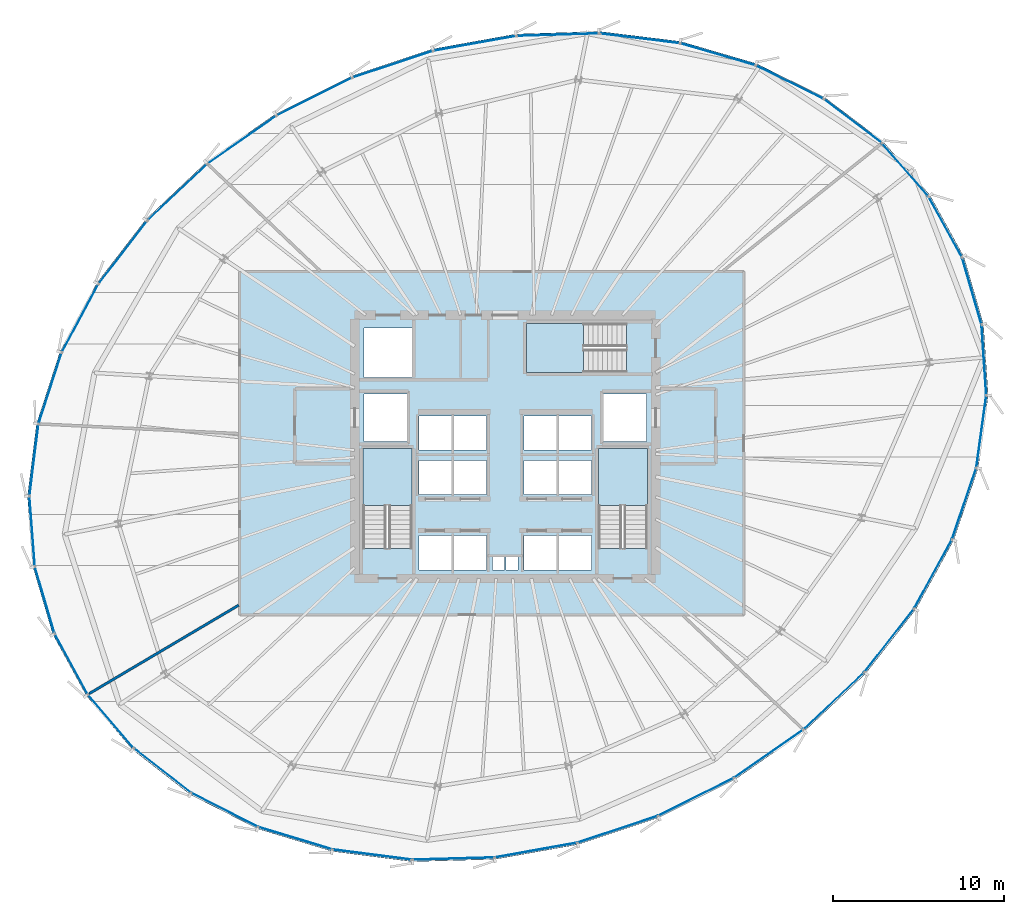
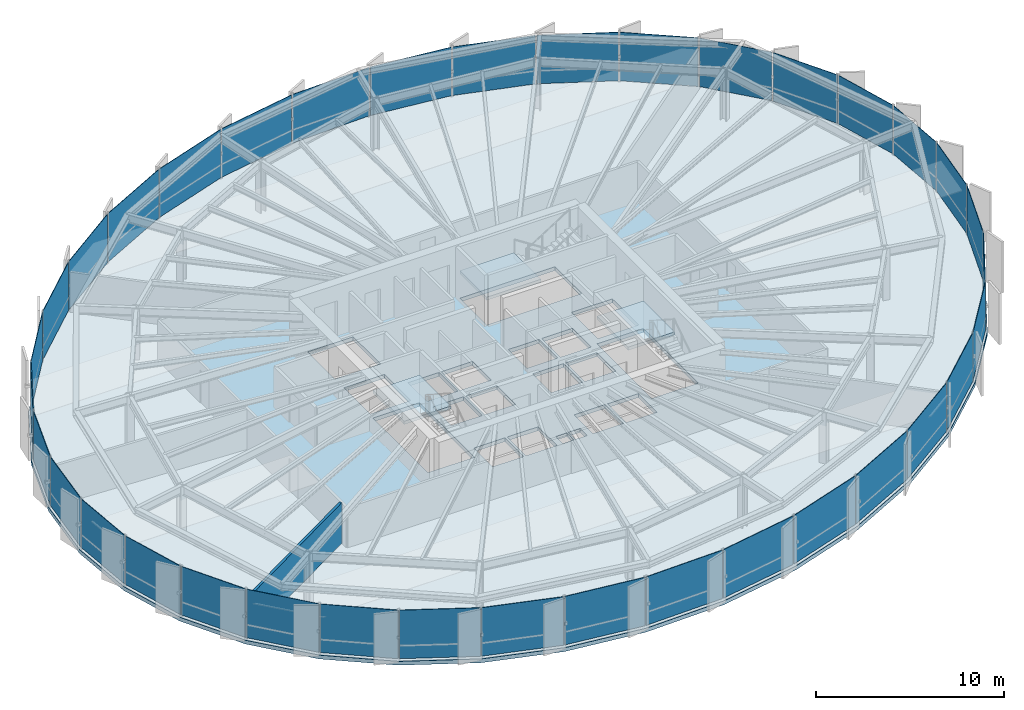
# One storey, part 27 of 34: 36 plates, 4 slabs, 1 wall, 9 elements without a shape of their own.
"""IFC4 building model written with IfcOpenShell, lengths in metres."""

from ifc_helpers import new_model, si_unit, direction, frame, frame_2d, origin, origin_2d, place, context, subcontext, project, spatial, polyline, rectangle, outline, extrude, source, transform, mapped, material, layer, layer_set, type_object, element, aggregate, save


model = new_model("IFC4")

# Units and contexts
model_context = context("Model", 3, precision=1e-05, world=origin(), true_north=direction((0.0, 1.0)))
body_context = subcontext(model_context, "Body", "Model", "MODEL_VIEW")
ifc_project = project(units=[si_unit("LENGTHUNIT", "METRE"), si_unit("AREAUNIT", "SQUARE_METRE"), si_unit("VOLUMEUNIT", "CUBIC_METRE"), si_unit("PLANEANGLEUNIT", "RADIAN"), si_unit("MASSUNIT", "GRAM", prefix="KILO"), si_unit("THERMODYNAMICTEMPERATUREUNIT", "KELVIN")], contexts=[model_context])

# Site, building, storey
site_placement = place(None, origin())
site = spatial("IfcSite", under=ifc_project, at=site_placement, CompositionType="ELEMENT")
building_placement = place(site_placement, origin())
building = spatial("IfcBuilding", under=site, at=building_placement, Name="Kethvar Cultural Tower", CompositionType="ELEMENT")
storey_placement = place(building_placement, frame((0.0, 0.0, 125.199951171875)))
storey = spatial("IfcBuildingStorey", under=building, at=storey_placement, Name="L31", CompositionType="ELEMENT", Elevation=125.199951171875)

# Stair, slab
ifc_material_1 = material(Name="Concrete C40/50", Category="concrete")
stair_type = type_object("IfcStairType", Name="ST-DOGLEG-135", PredefinedType="HALF_TURN_STAIR", material=ifc_material_1)
stair_1_placement = place(storey_placement, origin())
stair_1 = element("IfcStair", 1, at=stair_1_placement, inside=storey, type_object=stair_type, Name="L31 Core Exit Stair 1", PredefinedType="HALF_TURN_STAIR")
ifc_layer_1 = layer(ifc_material_1, 0.199951171875, Name="Concrete C40/50", Category="concrete")
ifc_layer_set_1 = layer_set([ifc_layer_1], Name="Concrete C40/50 (200 mm)")
slab_type_1 = type_object("IfcSlabType", Name="SL-STAIR-LANDING-200", PredefinedType="LANDING", material=ifc_layer_set_1)
slab_1_placement = place(storey_placement, frame((0.0, 0.0, 1.60009765625)))
slab_1 = element("IfcSlab", 2, at=slab_1_placement, type_object=slab_type_1, Name="ST-01 landing 1", PredefinedType="LANDING", context=body_context, shape_type="SweptSolid", body=[
    extrude(outline(polyline([(41.35009765625, 24.3701171875), (41.35009765625, 27.699951171875), (38.489990234375, 27.699951171875), (38.489990234375, 24.3701171875), (41.35009765625, 24.3701171875)])), origin(), (0.0, 0.0, 1.0), 0.199951171875),
])
aggregate(stair_1, [slab_1])

stair_2_placement = place(storey_placement, origin())
stair_2 = element("IfcStair", 3, at=stair_2_placement, inside=storey, type_object=stair_type, Name="L31 Core Exit Stair 2", PredefinedType="HALF_TURN_STAIR")
slab_2_placement = place(storey_placement, frame((0.0, 0.0, 1.60009765625)))
slab_2 = element("IfcSlab", 4, at=slab_2_placement, type_object=slab_type_1, Name="ST-02 landing 1", PredefinedType="LANDING", context=body_context, shape_type="SweptSolid", body=[
    extrude(outline(polyline([(55.110107421875, 24.3701171875), (55.110107421875, 27.699951171875), (52.25, 27.699951171875), (52.25, 24.3701171875), (55.110107421875, 24.3701171875)])), origin(), (0.0, 0.0, 1.0), 0.199951171875),
])
aggregate(stair_2, [slab_2])

stair_3_placement = place(storey_placement, origin())
stair_3 = element("IfcStair", 5, at=stair_3_placement, inside=storey, type_object=stair_type, Name="L31 Core Exit Stair 3", PredefinedType="HALF_TURN_STAIR")
slab_3_placement = place(storey_placement, frame((0.0, 0.0, 1.60009765625)))
slab_3 = element("IfcSlab", 6, at=slab_3_placement, type_object=slab_type_1, Name="ST-03 landing 1", PredefinedType="LANDING", context=body_context, shape_type="SweptSolid", body=[
    extrude(outline(polyline([(51.3798828125, 35.010009765625), (48.050048828125, 35.010009765625), (48.050048828125, 32.14990234375), (51.3798828125, 32.14990234375), (51.3798828125, 35.010009765625)])), origin(), (0.0, 0.0, 1.0), 0.199951171875),
])
aggregate(stair_3, [slab_3])

# Slab
ifc_layer_2 = layer(ifc_material_1, 0.25, Name="Concrete C40/50", Category="concrete")
ifc_layer_set_2 = layer_set([ifc_layer_2], Name="Concrete C40/50 (250 mm)")
slab_type_2 = type_object("IfcSlabType", Name="SL-TOW-250", PredefinedType="FLOOR", material=ifc_layer_set_2)
slab_4_placement = place(storey_placement, frame((0.0, 0.0, -0.25)))
element("IfcSlab", 7, at=slab_4_placement, inside=storey, type_object=slab_type_2, Name="L31 Structural Floor Slab", PredefinedType="FLOOR", context=body_context, shape_type="SweptSolid", body=[
    extrude(outline(polyline([(73.62353515625, 38.91064453125), (71.64794921875, 42.504150390625), (68.902587890625, 45.64501953125), (65.476318359375, 48.239501953125), (61.480712890625, 50.21240234375), (57.04541015625, 51.5068359375), (52.31298828125, 52.086669921875), (47.431884765625, 51.9365234375), (42.552001953125, 51.0615234375), (37.817138671875, 49.486328125), (33.360107421875, 47.254150390625), (29.311279296875, 44.4306640625), (25.793701171875, 41.10205078125), (22.91455078125, 37.369384765625), (20.760986328125, 33.345703125), (19.398681640625, 29.153564453125), (18.869140625, 24.92041015625), (19.18798828125, 20.774658203125), (20.345947265625, 16.84228515625), (22.307861328125, 13.2431640625), (25.013671875, 10.086181640625), (28.381591796875, 7.46728515625), (32.30908203125, 5.46630859375), (36.677001953125, 4.143798828125), (41.352294921875, 3.540283203125), (46.193115234375, 3.673828125), (51.052490234375, 4.540283203125), (55.78271484375, 6.11376953125), (60.24462890625, 8.347900390625), (64.314208984375, 11.1796875), (67.87158203125, 14.52490234375), (70.807861328125, 18.281494140625), (73.02880859375, 22.3330078125), (74.458984375, 26.55322265625), (75.047119140625, 30.810546875), (74.767578125, 34.97265625), (73.62353515625, 38.91064453125)]), holes=[polyline([(38.489990234375, 21.85009765625), (38.489990234375, 27.699951171875), (41.35009765625, 27.699951171875), (41.35009765625, 21.85009765625), (38.489990234375, 21.85009765625)]), polyline([(52.25, 21.85009765625), (52.25, 27.699951171875), (55.110107421875, 27.699951171875), (55.110107421875, 21.85009765625), (52.25, 21.85009765625)]), polyline([(53.89990234375, 32.14990234375), (48.050048828125, 32.14990234375), (48.050048828125, 35.010009765625), (53.89990234375, 35.010009765625), (53.89990234375, 32.14990234375)]), polyline([(41.75, 22.60009765625), (43.64990234375, 22.60009765625), (43.64990234375, 20.60009765625), (41.75, 20.60009765625), (41.75, 22.60009765625)]), polyline([(43.800048828125, 22.60009765625), (45.699951171875, 22.60009765625), (45.699951171875, 20.60009765625), (43.800048828125, 20.60009765625), (43.800048828125, 22.60009765625)]), polyline([(47.89990234375, 22.60009765625), (49.800048828125, 22.60009765625), (49.800048828125, 20.60009765625), (47.89990234375, 20.60009765625), (47.89990234375, 22.60009765625)]), polyline([(49.949951171875, 22.60009765625), (51.85009765625, 22.60009765625), (51.85009765625, 20.60009765625), (49.949951171875, 20.60009765625), (49.949951171875, 22.60009765625)]), polyline([(41.75, 27.0), (43.64990234375, 27.0), (43.64990234375, 25.0), (41.75, 25.0), (41.75, 27.0)]), polyline([(43.800048828125, 27.0), (45.699951171875, 27.0), (45.699951171875, 25.0), (43.800048828125, 25.0), (43.800048828125, 27.0)]), polyline([(47.89990234375, 27.0), (49.800048828125, 27.0), (49.800048828125, 25.0), (47.89990234375, 25.0), (47.89990234375, 27.0)]), polyline([(49.949951171875, 27.0), (51.85009765625, 27.0), (51.85009765625, 25.0), (49.949951171875, 25.0), (49.949951171875, 27.0)]), polyline([(41.75, 29.60009765625), (43.64990234375, 29.60009765625), (43.64990234375, 27.60009765625), (41.75, 27.60009765625), (41.75, 29.60009765625)]), polyline([(43.800048828125, 29.60009765625), (45.699951171875, 29.60009765625), (45.699951171875, 27.60009765625), (43.800048828125, 27.60009765625), (43.800048828125, 29.60009765625)]), polyline([(47.89990234375, 29.60009765625), (49.800048828125, 29.60009765625), (49.800048828125, 27.60009765625), (47.89990234375, 27.60009765625), (47.89990234375, 29.60009765625)]), polyline([(49.949951171875, 29.60009765625), (51.85009765625, 29.60009765625), (51.85009765625, 27.60009765625), (49.949951171875, 27.60009765625), (49.949951171875, 29.60009765625)]), polyline([(38.550048828125, 30.89990234375), (41.050048828125, 30.89990234375), (41.050048828125, 28.10009765625), (38.550048828125, 28.10009765625), (38.550048828125, 30.89990234375)]), polyline([(52.550048828125, 30.89990234375), (55.050048828125, 30.89990234375), (55.050048828125, 28.10009765625), (52.550048828125, 28.10009765625), (52.550048828125, 30.89990234375)]), polyline([(38.550048828125, 34.75), (41.35009765625, 34.75), (41.35009765625, 31.85009765625), (38.550048828125, 31.85009765625), (38.550048828125, 34.75)]), polyline([(46.050048828125, 21.35009765625), (46.75, 21.35009765625), (46.75, 20.60009765625), (46.050048828125, 20.60009765625), (46.050048828125, 21.35009765625)]), polyline([(46.85009765625, 21.35009765625), (47.550048828125, 21.35009765625), (47.550048828125, 20.60009765625), (46.85009765625, 20.60009765625), (46.85009765625, 21.35009765625)])]), origin(), (0.0, 0.0, 1.0), 0.25),
])

# Curtain wall, plate
ifc_material_2 = material(Name="Aluminium 6063-T6", Category="aluminium")
ifc_layer_3 = layer(ifc_material_2, 0.179931640625, Name="Aluminium 6063-T6", Category="aluminium")
ifc_layer_set_3 = layer_set([ifc_layer_3], Name="Aluminium 6063-T6 (180 mm)")
curtain_wall_type = type_object("IfcCurtainWallType", Name="CW-SYS-03-Z2", PredefinedType="NOTDEFINED", material=ifc_layer_set_3)
curtain_wall_1_placement = place(storey_placement, origin())
curtain_wall_1 = element("IfcCurtainWall", 8, at=curtain_wall_1_placement, inside=storey, type_object=curtain_wall_type, Name="L31 Curtain Wall Run 02", PredefinedType="NOTDEFINED")
ifc_material_3 = material(Name="Insulated Low-E Solar Glass", Category="glass")
ifc_layer_4 = layer(ifc_material_3, 0.031982421875, Name="Insulated Low-E Solar Glass", Category="glass")
ifc_layer_set_4 = layer_set([ifc_layer_4], Name="Insulated Low-E Solar Glass (32 mm)")
plate_type = type_object("IfcPlateType", Name="CW-SYS-03-Z2-PNL", PredefinedType="CURTAIN_PANEL", material=ifc_layer_set_4)
shared_shape_1 = source(origin(), body_context, "Body", "SweptSolid", [
    extrude(rectangle(XDim=4.903564453125, YDim=0.031982421875, at=origin_2d()), origin(), (0.0, 0.0, 1.0), 3.14990234375),
])
plate_1_placement = place(storey_placement, frame((40.220947265625, 50.164794921875, 0.10009765625), z_axis=(0.0, 0.0, 1.0), x_axis=(-0.948864992836, -0.315682158776, 0.0)))
plate_1 = element("IfcPlate", 9, at=plate_1_placement, type_object=plate_type, Name="CW-L31-R02 Vision Glazing Panel 3", PredefinedType="CURTAIN_PANEL", context=body_context, shape_type="MappedRepresentation", body=[
    mapped(shared_shape_1, transform((0.0, 0.0, 0.0), scale=1.0)),
])

curtain_wall_2_placement = place(storey_placement, origin())
curtain_wall_2 = element("IfcCurtainWall", 10, at=curtain_wall_2_placement, inside=storey, type_object=curtain_wall_type, Name="L31 Curtain Wall Run 05", PredefinedType="NOTDEFINED")
plate_2_placement = place(storey_placement, frame((57.962158203125, 7.333740234375, 0.10009765625), z_axis=(0.0, 0.0, 1.0), x_axis=(0.894162051574, 0.447743481835, 0.0)))
plate_2 = element("IfcPlate", 11, at=plate_2_placement, type_object=plate_type, Name="CW-L31-R05 Vision Glazing Panel 4", PredefinedType="CURTAIN_PANEL", context=body_context, shape_type="MappedRepresentation", body=[
    mapped(shared_shape_1, transform((0.0, 0.0, 0.0), scale=1.0)),
])

curtain_wall_3_placement = place(storey_placement, origin())
curtain_wall_3 = element("IfcCurtainWall", 12, at=curtain_wall_3_placement, inside=storey, type_object=curtain_wall_type, Name="L31 Curtain Wall Run 03", PredefinedType="NOTDEFINED")
shared_shape_2 = source(origin(), body_context, "Body", "SweptSolid", [
    extrude(rectangle(XDim=4.1796875, YDim=0.031982421875, at=origin_2d()), origin(), (0.0, 0.0, 1.0), 3.14990234375),
])
plate_3_placement = place(storey_placement, frame((19.248046875, 27.022705078125, 0.10009765625), z_axis=(0.0, 0.0, 1.0), x_axis=(-0.124155680141, -0.992262751034, 0.0)))
plate_3 = element("IfcPlate", 13, at=plate_3_placement, type_object=plate_type, Name="CW-L31-R03 Vision Glazing Panel 4", PredefinedType="CURTAIN_PANEL", context=body_context, shape_type="MappedRepresentation", body=[
    mapped(shared_shape_2, transform((0.0, 0.0, 0.0), scale=1.0)),
])

curtain_wall_4_placement = place(storey_placement, origin())
curtain_wall_4 = element("IfcCurtainWall", 14, at=curtain_wall_4_placement, inside=storey, type_object=curtain_wall_type, Name="L31 Curtain Wall Run 01", PredefinedType="NOTDEFINED")
shared_shape_3 = source(origin(), body_context, "Body", "SweptSolid", [
    extrude(rectangle(XDim=4.014404296875, YDim=0.031982421875, at=origin_2d()), origin(), (0.0, 0.0, 1.0), 3.14990234375),
])
plate_4_placement = place(storey_placement, frame((72.534912109375, 40.652099609375, 0.10009765625), z_axis=(0.0, 0.0, 1.0), x_axis=(-0.481768968465, 0.876298271723, 0.0)))
plate_4 = element("IfcPlate", 15, at=plate_4_placement, type_object=plate_type, Name="CW-L31-R01 Vision Glazing Panel 1", PredefinedType="CURTAIN_PANEL", context=body_context, shape_type="MappedRepresentation", body=[
    mapped(shared_shape_3, transform((0.0, 0.0, 0.0), scale=1.0)),
])

curtain_wall_5_placement = place(storey_placement, origin())
curtain_wall_5 = element("IfcCurtainWall", 16, at=curtain_wall_5_placement, inside=storey, type_object=curtain_wall_type, Name="L31 Curtain Wall Run 06", PredefinedType="NOTDEFINED")
plate_5_placement = place(storey_placement, frame((74.085205078125, 36.90966796875, 0.10009765625), z_axis=(0.0, 0.0, 1.0), x_axis=(-0.278991106039, 0.960293685677, 0.0)))
plate_5 = element("IfcPlate", 17, at=plate_5_placement, type_object=plate_type, Name="CW-L31-R06 Vision Glazing Panel 6", PredefinedType="CURTAIN_PANEL", context=body_context, shape_type="MappedRepresentation", body=[
    mapped(shared_shape_3, transform((0.0, 0.0, 0.0), scale=1.0)),
])

# Plate
shared_shape_4 = source(origin(), body_context, "Body", "SweptSolid", [
    extrude(rectangle(XDim=4.085205078125, YDim=0.031982421875, at=origin_2d()), origin(), (0.0, 0.0, 1.0), 3.14990234375),
])
plate_6_placement = place(storey_placement, frame((70.188720703125, 43.998779296875, 0.10009765625), z_axis=(0.0, 0.0, 1.0), x_axis=(-0.65812459362, 0.752909037848, 0.0)))
plate_6 = element("IfcPlate", 18, at=plate_6_placement, type_object=plate_type, Name="CW-L31-R01 Vision Glazing Panel 2", PredefinedType="CURTAIN_PANEL", context=body_context, shape_type="MappedRepresentation", body=[
    mapped(shared_shape_4, transform((0.0, 0.0, 0.0), scale=1.0)),
])

plate_7_placement = place(storey_placement, frame((74.792724609375, 32.8837890625, 0.10009765625), z_axis=(0.0, 0.0, 1.0), x_axis=(-0.067022723265, 0.997751449293, 0.0)))
plate_7 = element("IfcPlate", 19, at=plate_7_placement, type_object=plate_type, Name="CW-L31-R06 Vision Glazing Panel 5", PredefinedType="CURTAIN_PANEL", context=body_context, shape_type="MappedRepresentation", body=[
    mapped(shared_shape_4, transform((0.0, 0.0, 0.0), scale=1.0)),
])

shared_shape_5 = source(origin(), body_context, "Body", "SweptSolid", [
    extrude(rectangle(XDim=4.211181640625, YDim=0.031982421875, at=origin_2d()), origin(), (0.0, 0.0, 1.0), 3.14990234375),
])
plate_8_placement = place(storey_placement, frame((67.1201171875, 46.8505859375, 0.10009765625), z_axis=(0.0, 0.0, 1.0), x_axis=(-0.797204764657, 0.603709005406, 0.0)))
plate_8 = element("IfcPlate", 20, at=plate_8_placement, type_object=plate_type, Name="CW-L31-R01 Vision Glazing Panel 3", PredefinedType="CURTAIN_PANEL", context=body_context, shape_type="MappedRepresentation", body=[
    mapped(shared_shape_5, transform((0.0, 0.0, 0.0), scale=1.0)),
])

shared_shape_6 = source(origin(), body_context, "Body", "SweptSolid", [
    extrude(rectangle(XDim=4.369873046875, YDim=0.031982421875, at=origin_2d()), origin(), (0.0, 0.0, 1.0), 3.14990234375),
])
plate_9_placement = place(storey_placement, frame((63.427490234375, 49.122802734375, 0.10009765625), z_axis=(0.0, 0.0, 1.0), x_axis=(-0.896664218323, 0.442711282417, 0.0)))
plate_9 = element("IfcPlate", 21, at=plate_9_placement, type_object=plate_type, Name="CW-L31-R01 Vision Glazing Panel 4", PredefinedType="CURTAIN_PANEL", context=body_context, shape_type="MappedRepresentation", body=[
    mapped(shared_shape_6, transform((0.0, 0.0, 0.0), scale=1.0)),
])

shared_shape_7 = source(origin(), body_context, "Body", "SweptSolid", [
    extrude(rectangle(XDim=4.533935546875, YDim=0.031982421875, at=origin_2d()), origin(), (0.0, 0.0, 1.0), 3.14990234375),
])
plate_10_placement = place(storey_placement, frame((59.230712890625, 50.749267578125, 0.10009765625), z_axis=(0.0, 0.0, 1.0), x_axis=(-0.959947227213, 0.280180871877, 0.0)))
plate_10 = element("IfcPlate", 22, at=plate_10_placement, type_object=plate_type, Name="CW-L31-R01 Vision Glazing Panel 5", PredefinedType="CURTAIN_PANEL", context=body_context, shape_type="MappedRepresentation", body=[
    mapped(shared_shape_7, transform((0.0, 0.0, 0.0), scale=1.0)),
])

shared_shape_8 = source(origin(), body_context, "Body", "SweptSolid", [
    extrude(rectangle(XDim=4.681396484375, YDim=0.031982421875, at=origin_2d()), origin(), (0.0, 0.0, 1.0), 3.14990234375),
])
plate_11_placement = place(storey_placement, frame((54.665283203125, 51.6826171875, 0.10009765625), z_axis=(0.0, 0.0, 1.0), x_axis=(-0.992575900309, 0.121626814993, 0.0)))
plate_11 = element("IfcPlate", 23, at=plate_11_placement, type_object=plate_type, Name="CW-L31-R01 Vision Glazing Panel 6", PredefinedType="CURTAIN_PANEL", context=body_context, shape_type="MappedRepresentation", body=[
    mapped(shared_shape_8, transform((0.0, 0.0, 0.0), scale=1.0)),
])

aggregate(curtain_wall_4, [plate_4, plate_6, plate_8, plate_9, plate_10, plate_11])

plate_12_placement = place(storey_placement, frame((69.249267578125, 16.47412109375, 0.10009765625), z_axis=(0.0, 0.0, 1.0), x_axis=(0.615854004295, 0.787860295607, 0.0)))
plate_12 = element("IfcPlate", 24, at=plate_12_placement, type_object=plate_type, Name="CW-L31-R06 Vision Glazing Panel 1", PredefinedType="CURTAIN_PANEL", context=body_context, shape_type="MappedRepresentation", body=[
    mapped(shared_shape_8, transform((0.0, 0.0, 0.0), scale=1.0)),
])

shared_shape_9 = source(origin(), body_context, "Body", "SweptSolid", [
    extrude(rectangle(XDim=4.797119140625, YDim=0.031982421875, at=origin_2d()), origin(), (0.0, 0.0, 1.0), 3.14990234375),
])
plate_13_placement = place(storey_placement, frame((49.876220703125, 51.896728515625, 0.10009765625), z_axis=(0.0, 0.0, 1.0), x_axis=(-0.999527709442, -0.030730409319, 0.0)))
plate_13 = element("IfcPlate", 25, at=plate_13_placement, type_object=plate_type, Name="CW-L31-R02 Vision Glazing Panel 1", PredefinedType="CURTAIN_PANEL", context=body_context, shape_type="MappedRepresentation", body=[
    mapped(shared_shape_9, transform((0.0, 0.0, 0.0), scale=1.0)),
])

shared_shape_10 = source(origin(), body_context, "Body", "SweptSolid", [
    extrude(rectangle(XDim=4.87158203125, YDim=0.031982421875, at=origin_2d()), origin(), (0.0, 0.0, 1.0), 3.14990234375),
])
plate_14_placement = place(storey_placement, frame((45.01220703125, 51.385986328125, 0.10009765625), z_axis=(0.0, 0.0, 1.0), x_axis=(-0.984300518877, -0.176500675744, 0.0)))
plate_14 = element("IfcPlate", 26, at=plate_14_placement, type_object=plate_type, Name="CW-L31-R02 Vision Glazing Panel 2", PredefinedType="CURTAIN_PANEL", context=body_context, shape_type="MappedRepresentation", body=[
    mapped(shared_shape_10, transform((0.0, 0.0, 0.0), scale=1.0)),
])

shared_shape_11 = source(origin(), body_context, "Body", "SweptSolid", [
    extrude(rectangle(XDim=4.898681640625, YDim=0.031982421875, at=origin_2d()), origin(), (0.0, 0.0, 1.0), 3.14990234375),
])
plate_15_placement = place(storey_placement, frame((35.64013671875, 48.267333984375, 0.10009765625), z_axis=(0.0, 0.0, 1.0), x_axis=(-0.894138606554, -0.447790299437, 0.0)))
plate_15 = element("IfcPlate", 27, at=plate_15_placement, type_object=plate_type, Name="CW-L31-R02 Vision Glazing Panel 4", PredefinedType="CURTAIN_PANEL", context=body_context, shape_type="MappedRepresentation", body=[
    mapped(shared_shape_11, transform((0.0, 0.0, 0.0), scale=1.0)),
])

plate_16_placement = place(storey_placement, frame((53.38134765625, 5.436279296875, 0.10009765625), z_axis=(0.0, 0.0, 1.0), x_axis=(0.948887029296, 0.315615914734, 0.0)))
plate_16 = element("IfcPlate", 28, at=plate_16_placement, type_object=plate_type, Name="CW-L31-R05 Vision Glazing Panel 3", PredefinedType="CURTAIN_PANEL", context=body_context, shape_type="MappedRepresentation", body=[
    mapped(shared_shape_11, transform((0.0, 0.0, 0.0), scale=1.0)),
])

shared_shape_12 = source(origin(), body_context, "Body", "SweptSolid", [
    extrude(rectangle(XDim=4.849609375, YDim=0.031982421875, at=origin_2d()), origin(), (0.0, 0.0, 1.0), 3.14990234375),
])
plate_17_placement = place(storey_placement, frame((31.4013671875, 45.748046875, 0.10009765625), z_axis=(0.0, 0.0, 1.0), x_axis=(-0.820251721675, -0.572002721226, 0.0)))
plate_17 = element("IfcPlate", 29, at=plate_17_placement, type_object=plate_type, Name="CW-L31-R02 Vision Glazing Panel 5", PredefinedType="CURTAIN_PANEL", context=body_context, shape_type="MappedRepresentation", body=[
    mapped(shared_shape_12, transform((0.0, 0.0, 0.0), scale=1.0)),
])

plate_18_placement = place(storey_placement, frame((48.602783203125, 4.22021484375, 0.10009765625), z_axis=(0.0, 0.0, 1.0), x_axis=(0.984466429661, 0.175572916108, 0.0)))
plate_18 = element("IfcPlate", 30, at=plate_18_placement, type_object=plate_type, Name="CW-L31-R05 Vision Glazing Panel 2", PredefinedType="CURTAIN_PANEL", context=body_context, shape_type="MappedRepresentation", body=[
    mapped(shared_shape_12, transform((0.0, 0.0, 0.0), scale=1.0)),
])

shared_shape_13 = source(origin(), body_context, "Body", "SweptSolid", [
    extrude(rectangle(XDim=4.75634765625, YDim=0.031982421875, at=origin_2d()), origin(), (0.0, 0.0, 1.0), 3.14990234375),
])
plate_19_placement = place(storey_placement, frame((27.631591796875, 42.682861328125, 0.10009765625), z_axis=(0.0, 0.0, 1.0), x_axis=(-0.726346784179, -0.687328414307, 0.0)))
plate_19 = element("IfcPlate", 31, at=plate_19_placement, type_object=plate_type, Name="CW-L31-R02 Vision Glazing Panel 6", PredefinedType="CURTAIN_PANEL", context=body_context, shape_type="MappedRepresentation", body=[
    mapped(shared_shape_13, transform((0.0, 0.0, 0.0), scale=1.0)),
])

aggregate(curtain_wall_1, [plate_13, plate_14, plate_1, plate_15, plate_17, plate_19])

plate_20_placement = place(storey_placement, frame((43.76953125, 3.721923828125, 0.10009765625), z_axis=(0.0, 0.0, 1.0), x_axis=(0.999619800631, 0.027572707275, 0.0)))
plate_20 = element("IfcPlate", 32, at=plate_20_placement, type_object=plate_type, Name="CW-L31-R05 Vision Glazing Panel 1", PredefinedType="CURTAIN_PANEL", context=body_context, shape_type="MappedRepresentation", body=[
    mapped(shared_shape_13, transform((0.0, 0.0, 0.0), scale=1.0)),
])

shared_shape_14 = source(origin(), body_context, "Body", "SweptSolid", [
    extrude(rectangle(XDim=4.627685546875, YDim=0.031982421875, at=origin_2d()), origin(), (0.0, 0.0, 1.0), 3.14990234375),
])
plate_21_placement = place(storey_placement, frame((24.445068359375, 39.16552734375, 0.10009765625), z_axis=(0.0, 0.0, 1.0), x_axis=(-0.610753418696, -0.79182085193, 0.0)))
plate_21 = element("IfcPlate", 33, at=plate_21_placement, type_object=plate_type, Name="CW-L31-R03 Vision Glazing Panel 1", PredefinedType="CURTAIN_PANEL", context=body_context, shape_type="MappedRepresentation", body=[
    mapped(shared_shape_14, transform((0.0, 0.0, 0.0), scale=1.0)),
])

# Curtain wall, plate
curtain_wall_6_placement = place(storey_placement, origin())
curtain_wall_6 = element("IfcCurtainWall", 34, at=curtain_wall_6_placement, inside=storey, type_object=curtain_wall_type, Name="L31 Curtain Wall Run 04", PredefinedType="NOTDEFINED")
plate_22_placement = place(storey_placement, frame((39.029296875, 3.956298828125, 0.10009765625), z_axis=(0.0, 0.0, 1.0), x_axis=(0.991769777877, -0.128034009892, 0.0)))
plate_22 = element("IfcPlate", 35, at=plate_22_placement, type_object=plate_type, Name="CW-L31-R04 Vision Glazing Panel 6", PredefinedType="CURTAIN_PANEL", context=body_context, shape_type="MappedRepresentation", body=[
    mapped(shared_shape_14, transform((0.0, 0.0, 0.0), scale=1.0)),
])

# Plate
shared_shape_15 = source(origin(), body_context, "Body", "SweptSolid", [
    extrude(rectangle(XDim=4.477294921875, YDim=0.031982421875, at=origin_2d()), origin(), (0.0, 0.0, 1.0), 3.14990234375),
])
plate_23_placement = place(storey_placement, frame((21.939208984375, 35.30322265625, 0.10009765625), z_axis=(0.0, 0.0, 1.0), x_axis=(-0.471858445081, -0.881674320714, 0.0)))
plate_23 = element("IfcPlate", 36, at=plate_23_placement, type_object=plate_type, Name="CW-L31-R03 Vision Glazing Panel 2", PredefinedType="CURTAIN_PANEL", context=body_context, shape_type="MappedRepresentation", body=[
    mapped(shared_shape_15, transform((0.0, 0.0, 0.0), scale=1.0)),
])

plate_24_placement = place(storey_placement, frame((34.5263671875, 4.9150390625, 0.10009765625), z_axis=(0.0, 0.0, 1.0), x_axis=(0.957097254783, -0.289766880243, 0.0)))
plate_24 = element("IfcPlate", 37, at=plate_24_placement, type_object=plate_type, Name="CW-L31-R04 Vision Glazing Panel 5", PredefinedType="CURTAIN_PANEL", context=body_context, shape_type="MappedRepresentation", body=[
    mapped(shared_shape_15, transform((0.0, 0.0, 0.0), scale=1.0)),
])

shared_shape_16 = source(origin(), body_context, "Body", "SweptSolid", [
    extrude(rectangle(XDim=4.321533203125, YDim=0.031982421875, at=origin_2d()), origin(), (0.0, 0.0, 1.0), 3.14990234375),
])
plate_25_placement = place(storey_placement, frame((20.189208984375, 31.214111328125, 0.10009765625), z_axis=(0.0, 0.0, 1.0), x_axis=(-0.309066791154, -0.951040334899, 0.0)))
plate_25 = element("IfcPlate", 38, at=plate_25_placement, type_object=plate_type, Name="CW-L31-R03 Vision Glazing Panel 3", PredefinedType="CURTAIN_PANEL", context=body_context, shape_type="MappedRepresentation", body=[
    mapped(shared_shape_16, transform((0.0, 0.0, 0.0), scale=1.0)),
])

plate_26_placement = place(storey_placement, frame((30.397705078125, 6.5693359375, 0.10009765625), z_axis=(0.0, 0.0, 1.0), x_axis=(0.891022370904, -0.453959397468, 0.0)))
plate_26 = element("IfcPlate", 39, at=plate_26_placement, type_object=plate_type, Name="CW-L31-R04 Vision Glazing Panel 4", PredefinedType="CURTAIN_PANEL", context=body_context, shape_type="MappedRepresentation", body=[
    mapped(shared_shape_16, transform((0.0, 0.0, 0.0), scale=1.0)),
])

shared_shape_17 = source(origin(), body_context, "Body", "SweptSolid", [
    extrude(rectangle(XDim=4.071533203125, YDim=0.031982421875, at=origin_2d()), origin(), (0.0, 0.0, 1.0), 3.14990234375),
])
plate_27_placement = place(storey_placement, frame((19.143310546875, 22.8564453125, 0.10009765625), z_axis=(0.0, 0.0, 1.0), x_axis=(0.076719028127, -0.997052752227, 0.0)))
plate_27 = element("IfcPlate", 40, at=plate_27_placement, type_object=plate_type, Name="CW-L31-R03 Vision Glazing Panel 5", PredefinedType="CURTAIN_PANEL", context=body_context, shape_type="MappedRepresentation", body=[
    mapped(shared_shape_17, transform((0.0, 0.0, 0.0), scale=1.0)),
])

plate_28_placement = place(storey_placement, frame((23.748046875, 11.739501953125, 0.10009765625), z_axis=(0.0, 0.0, 1.0), x_axis=(0.650774217266, -0.759271307335, 0.0)))
plate_28 = element("IfcPlate", 41, at=plate_28_placement, type_object=plate_type, Name="CW-L31-R04 Vision Glazing Panel 2", PredefinedType="CURTAIN_PANEL", context=body_context, shape_type="MappedRepresentation", body=[
    mapped(shared_shape_17, transform((0.0, 0.0, 0.0), scale=1.0)),
])

shared_shape_18 = source(origin(), body_context, "Body", "SweptSolid", [
    extrude(rectangle(XDim=4.0126953125, YDim=0.031982421875, at=origin_2d()), origin(), (0.0, 0.0, 1.0), 3.14990234375),
])
plate_29_placement = place(storey_placement, frame((19.877197265625, 18.841064453125, 0.10009765625), z_axis=(0.0, 0.0, 1.0), x_axis=(0.28247539959, -0.959274542885, 0.0)))
plate_29 = element("IfcPlate", 42, at=plate_29_placement, type_object=plate_type, Name="CW-L31-R03 Vision Glazing Panel 6", PredefinedType="CURTAIN_PANEL", context=body_context, shape_type="MappedRepresentation", body=[
    mapped(shared_shape_18, transform((0.0, 0.0, 0.0), scale=1.0)),
])

aggregate(curtain_wall_3, [plate_21, plate_23, plate_25, plate_3, plate_27, plate_29])

plate_30_placement = place(storey_placement, frame((21.427734375, 15.097900390625, 0.10009765625), z_axis=(0.0, 0.0, 1.0), x_axis=(0.478584588512, -0.878041452119, 0.0)))
plate_30 = element("IfcPlate", 43, at=plate_30_placement, type_object=plate_type, Name="CW-L31-R04 Vision Glazing Panel 1", PredefinedType="CURTAIN_PANEL", context=body_context, shape_type="MappedRepresentation", body=[
    mapped(shared_shape_18, transform((0.0, 0.0, 0.0), scale=1.0)),
])

shared_shape_19 = source(origin(), body_context, "Body", "SweptSolid", [
    extrude(rectangle(XDim=4.179931640625, YDim=0.031982421875, at=origin_2d()), origin(), (0.0, 0.0, 1.0), 3.14990234375),
])
plate_31_placement = place(storey_placement, frame((26.768310546875, 8.867431640625, 0.10009765625), z_axis=(0.0, 0.0, 1.0), x_axis=(0.789427043325, -0.613844396624, 0.0)))
plate_31 = element("IfcPlate", 44, at=plate_31_placement, type_object=plate_type, Name="CW-L31-R04 Vision Glazing Panel 3", PredefinedType="CURTAIN_PANEL", context=body_context, shape_type="MappedRepresentation", body=[
    mapped(shared_shape_19, transform((0.0, 0.0, 0.0), scale=1.0)),
])

aggregate(curtain_wall_6, [plate_30, plate_28, plate_31, plate_26, plate_24, plate_22])

shared_shape_20 = source(origin(), body_context, "Body", "SweptSolid", [
    extrude(rectangle(XDim=4.871337890625, YDim=0.031982421875, at=origin_2d()), origin(), (0.0, 0.0, 1.0), 3.14990234375),
])
plate_32_placement = place(storey_placement, frame((62.213623046875, 9.858154296875, 0.10009765625), z_axis=(0.0, 0.0, 1.0), x_axis=(0.820830334494, 0.571172094885, 0.0)))
plate_32 = element("IfcPlate", 45, at=plate_32_placement, type_object=plate_type, Name="CW-L31-R05 Vision Glazing Panel 5", PredefinedType="CURTAIN_PANEL", context=body_context, shape_type="MappedRepresentation", body=[
    mapped(shared_shape_20, transform((0.0, 0.0, 0.0), scale=1.0)),
])

shared_shape_21 = source(origin(), body_context, "Body", "SweptSolid", [
    extrude(rectangle(XDim=4.796875, YDim=0.031982421875, at=origin_2d()), origin(), (0.0, 0.0, 1.0), 3.14990234375),
])
plate_33_placement = place(storey_placement, frame((66.013916015625, 12.936279296875, 0.10009765625), z_axis=(0.0, 0.0, 1.0), x_axis=(0.728502502149, 0.685043140512, 0.0)))
plate_33 = element("IfcPlate", 46, at=plate_33_placement, type_object=plate_type, Name="CW-L31-R05 Vision Glazing Panel 6", PredefinedType="CURTAIN_PANEL", context=body_context, shape_type="MappedRepresentation", body=[
    mapped(shared_shape_21, transform((0.0, 0.0, 0.0), scale=1.0)),
])

aggregate(curtain_wall_2, [plate_20, plate_18, plate_16, plate_2, plate_32, plate_33])

shared_shape_22 = source(origin(), body_context, "Body", "SweptSolid", [
    extrude(rectangle(XDim=4.53369140625, YDim=0.031982421875, at=origin_2d()), origin(), (0.0, 0.0, 1.0), 3.14990234375),
])
plate_34_placement = place(storey_placement, frame((71.8173828125, 20.362548828125, 0.10009765625), z_axis=(0.0, 0.0, 1.0), x_axis=(0.48066739948, 0.876902988407, 0.0)))
plate_34 = element("IfcPlate", 47, at=plate_34_placement, type_object=plate_type, Name="CW-L31-R06 Vision Glazing Panel 2", PredefinedType="CURTAIN_PANEL", context=body_context, shape_type="MappedRepresentation", body=[
    mapped(shared_shape_22, transform((0.0, 0.0, 0.0), scale=1.0)),
])

shared_shape_23 = source(origin(), body_context, "Body", "SweptSolid", [
    extrude(rectangle(XDim=4.36962890625, YDim=0.031982421875, at=origin_2d()), origin(), (0.0, 0.0, 1.0), 3.14990234375),
])
plate_35_placement = place(storey_placement, frame((73.635009765625, 24.47998046875, 0.10009765625), z_axis=(0.0, 0.0, 1.0), x_axis=(0.320993199319, 0.947081499128, 0.0)))
plate_35 = element("IfcPlate", 48, at=plate_35_placement, type_object=plate_type, Name="CW-L31-R06 Vision Glazing Panel 3", PredefinedType="CURTAIN_PANEL", context=body_context, shape_type="MappedRepresentation", body=[
    mapped(shared_shape_23, transform((0.0, 0.0, 0.0), scale=1.0)),
])

shared_shape_24 = source(origin(), body_context, "Body", "SweptSolid", [
    extrude(rectangle(XDim=4.21142578125, YDim=0.031982421875, at=origin_2d()), origin(), (0.0, 0.0, 1.0), 3.14990234375),
])
plate_36_placement = place(storey_placement, frame((74.639404296875, 28.697509765625, 0.10009765625), z_axis=(0.0, 0.0, 1.0), x_axis=(0.136839452631, 0.990593238521, 0.0)))
plate_36 = element("IfcPlate", 49, at=plate_36_placement, type_object=plate_type, Name="CW-L31-R06 Vision Glazing Panel 4", PredefinedType="CURTAIN_PANEL", context=body_context, shape_type="MappedRepresentation", body=[
    mapped(shared_shape_24, transform((0.0, 0.0, 0.0), scale=1.0)),
])

aggregate(curtain_wall_5, [plate_12, plate_34, plate_35, plate_36, plate_7, plate_5])

# Wall
ifc_material_4 = material(Name="Gypsum Acoustic Partition")
ifc_layer_5 = layer(ifc_material_4, 0.14990234375, Name="Gypsum Acoustic Partition")
ifc_layer_set_5 = layer_set([ifc_layer_5], Name="Gypsum Acoustic Partition (150 mm)")
wall_type = type_object("IfcWallType", Name="WL-PART-150", PredefinedType="PARTITIONING", material=ifc_layer_set_5)
wall_placement = place(storey_placement, frame((31.22119140625, 18.541015625, 0.0), z_axis=(0.0, 0.0, 1.0), x_axis=(-0.860592603092, -0.509293993194, 0.0)))
element("IfcWall", 50, at=wall_placement, inside=storey, type_object=wall_type, Name="L31 Radial Partition Wall 01", PredefinedType="PARTITIONING", context=body_context, shape_type="SweptSolid", body=[
    extrude(rectangle(XDim=10.150634765625, YDim=0.14990234375, at=frame_2d((5.0751953125, 0.0))), origin(), (0.0, 0.0, 1.0), 2.635009765625),
])

save(model, "model.ifc")
